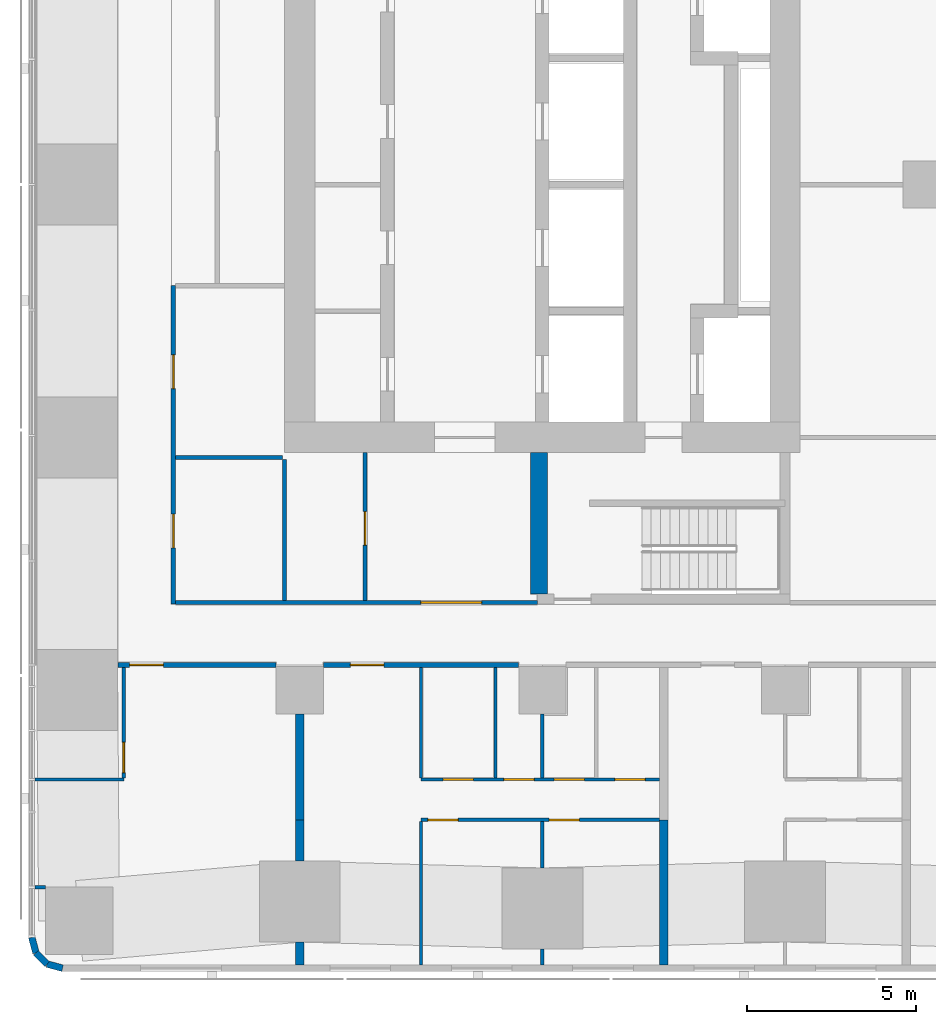
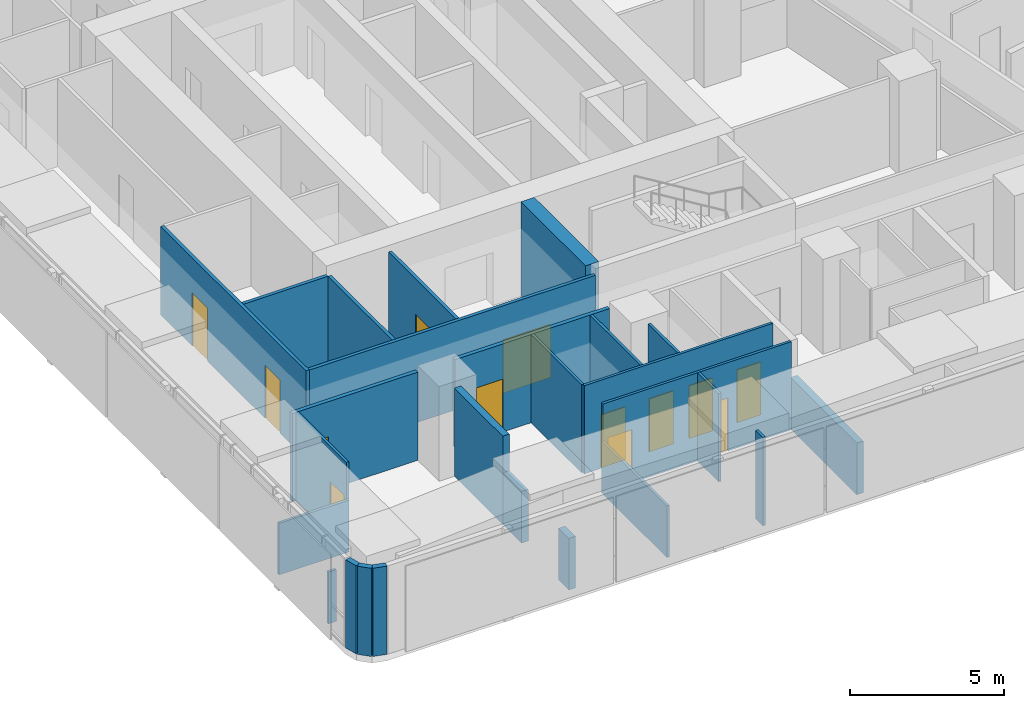
# One storey, part 10 of 19: 26 walls, 13 doors, 13 openings.
"""IFC4 building model written with IfcOpenShell, lengths in metres."""

from ifc_helpers import new_model, si_unit, direction, frame, frame_2d, origin, place, context, subcontext, project, spatial, rectangle, extrude, material, layer, layer_set, type_object, element, fill, save


model = new_model("IFC4")

# Units and contexts
model_context = context("Model", 3, precision=1e-05, world=origin(), true_north=direction((0.0, 1.0)))
body_context = subcontext(model_context, "Body", "Model", "MODEL_VIEW")
ifc_project = project(units=[si_unit("LENGTHUNIT", "METRE"), si_unit("AREAUNIT", "SQUARE_METRE"), si_unit("VOLUMEUNIT", "CUBIC_METRE"), si_unit("PLANEANGLEUNIT", "RADIAN"), si_unit("MASSUNIT", "GRAM", prefix="KILO")], contexts=[model_context])

# Site, building, storey
site_placement = place(None, origin())
site = spatial("IfcSite", under=ifc_project, at=site_placement, CompositionType="ELEMENT")
building_placement = place(site_placement, origin())
building = spatial("IfcBuilding", under=site, at=building_placement, Name="Sheger Commons Tower", CompositionType="ELEMENT")
storey_placement = place(building_placement, frame((0.0, 0.0, 219.949951171875)))
storey = spatial("IfcBuildingStorey", under=building, at=storey_placement, Name="L56", CompositionType="ELEMENT", Elevation=219.949951171875)

# Wall, opening, door
ifc_material_1 = material(Name="Hollow concrete block masonry, skimmed both sides", Category="masonry")
ifc_layer_1 = layer(ifc_material_1, 0.14990234375)
ifc_layer_set_1 = layer_set([ifc_layer_1], Name="CORRIDOR WALL 150")
wall_type_1 = type_object("IfcWallType", Name="CORRIDOR WALL 150", PredefinedType="SOLIDWALL", material=ifc_layer_set_1)
wall_1_placement = place(storey_placement, frame((20.89892578125, 8.25, 0.0), z_axis=(0.0, 0.0, 1.0), x_axis=(-1.0, 0.0, 0.0)))
wall_1 = element("IfcWall", 1, at=wall_1_placement, inside=storey, type_object=wall_type_1, Name="Corridor wall L56", PredefinedType="SOLIDWALL", context=body_context, shape_type="SweptSolid", body=[
    extrude(rectangle(XDim=5.7978515625, YDim=0.14990234375, at=frame_2d((2.89892578125, 0.0))), origin(), (0.0, 0.0, 1.0), 3.5),
])
opening_1_placement = place(wall_1_placement, frame((3.9990234375, 0.0, 0.0)))
opening_1 = element("IfcOpeningElement", 2, at=opening_1_placement, cuts=wall_1, Name="Opening D1", PredefinedType="OPENING", context=body_context, shape_type="SweptSolid", body=[
    extrude(rectangle(XDim=1.0, YDim=2.10009765625, at=frame_2d((0.5, 1.050048828125))), frame((0.0, 0.0849609375, 0.0), z_axis=(0.0, -1.0, 0.0), x_axis=(1.0, 0.0, 0.0)), (0.0, 0.0, 1.0), 0.169921875),
])
ifc_material_2 = material(Name="Steel door set, fire rated", Category="steel")
door_type_1 = type_object("IfcDoorType", Name="FLAT ENTRANCE DOOR 1000x2100", OperationType="NOTDEFINED", PredefinedType="DOOR", material=ifc_material_2)
door_1_placement = place(opening_1_placement, origin())
door_1 = element("IfcDoor", 3, at=door_1_placement, inside=storey, type_object=door_type_1, Name="Flat entrance door", OperationType="SINGLE_SWING_RIGHT", OverallHeight=2.10009765625, OverallWidth=1.0, PredefinedType="DOOR", context=body_context, shape_type="SweptSolid", body=[
    extrude(rectangle(XDim=1.0, YDim=2.10009765625, at=frame_2d((0.5, 1.050048828125))), frame((0.0, 0.02490234375, 0.0), z_axis=(0.0, -1.0, 0.0), x_axis=(1.0, 0.0, 0.0)), (0.0, 0.0, 1.0), 0.050048828125),
])
fill(opening_1, door_1)

wall_2_placement = place(storey_placement, frame((13.698974609375, 8.25, 0.0), z_axis=(0.0, 0.0, 1.0), x_axis=(-1.0, 0.0, 0.0)))
wall_2 = element("IfcWall", 4, at=wall_2_placement, inside=storey, type_object=wall_type_1, Name="Corridor wall L56", PredefinedType="SOLIDWALL", context=body_context, shape_type="SweptSolid", body=[
    extrude(rectangle(XDim=4.697998046875, YDim=0.14990234375, at=frame_2d((2.34912109375, 0.0))), origin(), (0.0, 0.0, 1.0), 3.5),
])
opening_2_placement = place(wall_2_placement, frame((3.344970703125, 0.0, 0.0)))
opening_2 = element("IfcOpeningElement", 5, at=opening_2_placement, cuts=wall_2, Name="Opening D1", PredefinedType="OPENING", context=body_context, shape_type="SweptSolid", body=[
    extrude(rectangle(XDim=1.0, YDim=2.10009765625, at=frame_2d((0.5, 1.050048828125))), frame((0.0, 0.0849609375, 0.0), z_axis=(0.0, -1.0, 0.0), x_axis=(1.0, 0.0, 0.0)), (0.0, 0.0, 1.0), 0.169921875),
])
door_2_placement = place(opening_2_placement, origin())
door_2 = element("IfcDoor", 6, at=door_2_placement, inside=storey, type_object=door_type_1, Name="Flat entrance door", OperationType="SINGLE_SWING_LEFT", OverallHeight=2.10009765625, OverallWidth=1.0, PredefinedType="DOOR", context=body_context, shape_type="SweptSolid", body=[
    extrude(rectangle(XDim=1.0, YDim=2.10009765625, at=frame_2d((0.5, 1.050048828125))), frame((0.0, 0.02490234375, 0.0), z_axis=(0.0, -1.0, 0.0), x_axis=(1.0, 0.0, 0.0)), (0.0, 0.0, 1.0), 0.050048828125),
])
fill(opening_2, door_2)

# Walls
ifc_material_3 = material(Name="Dense concrete block masonry, plastered both sides (separating wall between flats)", Category="masonry")
ifc_layer_2 = layer(ifc_material_3, 0.25)
ifc_layer_set_2 = layer_set([ifc_layer_2], Name="DEMISING WALL 250")
wall_type_2 = type_object("IfcWallType", Name="DEMISING WALL 250", PredefinedType="SOLIDWALL", material=ifc_layer_set_2)
wall_3_placement = place(storey_placement, frame((14.39990234375, -0.64990234375, 0.0), z_axis=(0.0, 0.0, 1.0), x_axis=(0.0, 1.0, 0.0)))
element("IfcWall", 7, at=wall_3_placement, inside=storey, type_object=wall_type_2, Name="Demising wall L56", PredefinedType="SOLIDWALL", context=body_context, shape_type="SweptSolid", body=[
    extrude(rectangle(XDim=0.673828125, YDim=0.25, at=frame_2d((0.3369140625, 0.0))), origin(), (0.0, 0.0, 1.0), 2.050048828125),
])
wall_4_placement = place(storey_placement, frame((14.39990234375, 2.426025390625, 0.0), z_axis=(0.0, 0.0, 1.0), x_axis=(0.0, 1.0, 0.0)))
element("IfcWall", 8, at=wall_4_placement, inside=storey, type_object=wall_type_2, Name="Demising wall L56", PredefinedType="SOLIDWALL", context=body_context, shape_type="SweptSolid", body=[
    extrude(rectangle(XDim=1.223876953125, YDim=0.25, at=frame_2d((0.61181640625, 0.0))), origin(), (0.0, 0.0, 1.0), 2.050048828125),
])
wall_5_placement = place(storey_placement, frame((14.39990234375, 3.64990234375, 0.0), z_axis=(0.0, 0.0, 1.0), x_axis=(0.0, 1.0, 0.0)))
element("IfcWall", 9, at=wall_5_placement, inside=storey, type_object=wall_type_2, Name="Demising wall L56", PredefinedType="SOLIDWALL", context=body_context, shape_type="SweptSolid", body=[
    extrude(rectangle(XDim=3.149169921875, YDim=0.25, at=frame_2d((1.57470703125, 0.0))), origin(), (0.0, 0.0, 1.0), 3.5),
])
wall_6_placement = place(storey_placement, frame((25.199951171875, -0.64990234375, 0.0), z_axis=(0.0, 0.0, 1.0), x_axis=(0.0, 1.0, 0.0)))
element("IfcWall", 10, at=wall_6_placement, inside=storey, type_object=wall_type_2, Name="Demising wall L56", PredefinedType="SOLIDWALL", context=body_context, shape_type="SweptSolid", body=[
    extrude(rectangle(XDim=4.2998046875, YDim=0.25, at=frame_2d((2.14990234375, 0.0))), origin(), (0.0, 0.0, 1.0), 2.050048828125),
])
ifc_material_4 = material(Name="Rendered concrete block masonry, dark grey", Category="masonry")
ifc_layer_3 = layer(ifc_material_4, 0.199951171875)
ifc_layer_set_3 = layer_set([ifc_layer_3], Name="FACADE WALL 200")
wall_type_3 = type_object("IfcWallType", Name="FACADE WALL 200", PredefinedType="SOLIDWALL", material=ifc_layer_set_3)
wall_7_placement = place(storey_placement, frame((6.449951171875, 0.1630859375, 0.0), z_axis=(0.0, 0.0, 1.0), x_axis=(0.259698463175, -0.965689757751, 0.0)))
element("IfcWall", 11, at=wall_7_placement, inside=storey, type_object=wall_type_3, Name="Facade wall L56", PredefinedType="SOLIDWALL", context=body_context, shape_type="SweptSolid", body=[
    extrude(rectangle(XDim=0.4775390625, YDim=0.199951171875, at=frame_2d((0.23876953125, 0.0))), origin(), (0.0, 0.0, 1.0), 3.5),
])
wall_8_placement = place(storey_placement, frame((6.573974609375, -0.298095703125, 0.0), z_axis=(0.0, 0.0, 1.0), x_axis=(0.707369890659, -0.706843573776, 0.0)))
element("IfcWall", 12, at=wall_8_placement, inside=storey, type_object=wall_type_3, Name="Facade wall L56", PredefinedType="SOLIDWALL", context=body_context, shape_type="SweptSolid", body=[
    extrude(rectangle(XDim=0.4638671875, YDim=0.199951171875, at=frame_2d((0.23193359375, 0.0))), origin(), (0.0, 0.0, 1.0), 3.5),
])
wall_9_placement = place(storey_placement, frame((6.902099609375, -0.6259765625, 0.0), z_axis=(0.0, 0.0, 1.0), x_axis=(0.965655254015, -0.259826731483, 0.0)))
element("IfcWall", 13, at=wall_9_placement, inside=storey, type_object=wall_type_3, Name="Facade wall L56", PredefinedType="SOLIDWALL", context=body_context, shape_type="SweptSolid", body=[
    extrude(rectangle(XDim=0.477294921875, YDim=0.199951171875, at=frame_2d((0.23876953125, 0.0))), origin(), (0.0, 0.0, 1.0), 3.5),
])
ifc_material_5 = material(Name="Gypsum board on steel studs", Category="steel")
ifc_layer_4 = layer(ifc_material_5, 0.10009765625)
ifc_layer_set_4 = layer_set([ifc_layer_4], Name="PARTITION 100")
wall_type_4 = type_object("IfcWallType", Name="PARTITION 100", PredefinedType="PARTITIONING", material=ifc_layer_set_4)
wall_10_placement = place(storey_placement, frame((6.550048828125, 1.654052734375, 0.0), z_axis=(0.0, 0.0, 1.0), x_axis=(1.0, 0.0, 0.0)))
element("IfcWall", 14, at=wall_10_placement, inside=storey, type_object=wall_type_4, Name="Partition L56", PredefinedType="PARTITIONING", context=body_context, shape_type="SweptSolid", body=[
    extrude(rectangle(XDim=0.303955078125, YDim=0.10009765625, at=frame_2d((0.15185546875, 0.0))), origin(), (0.0, 0.0, 1.0), 2.050048828125),
])
wall_11_placement = place(storey_placement, frame((9.178955078125, 4.85009765625, 0.0), z_axis=(0.0, 0.0, 1.0), x_axis=(-1.0, 0.0, 0.0)))
element("IfcWall", 15, at=wall_11_placement, inside=storey, type_object=wall_type_4, Name="Partition L56", PredefinedType="PARTITIONING", context=body_context, shape_type="SweptSolid", body=[
    extrude(rectangle(XDim=2.62890625, YDim=0.10009765625, at=frame_2d((1.314453125, 0.0))), origin(), (0.0, 0.0, 1.0), 2.050048828125),
])

# Wall, opening, door
wall_12_placement = place(storey_placement, frame((9.178955078125, 4.89990234375, 0.0), z_axis=(0.0, 0.0, 1.0), x_axis=(0.0, 1.0, 0.0)))
wall_12 = element("IfcWall", 16, at=wall_12_placement, inside=storey, type_object=wall_type_4, Name="Partition L56", PredefinedType="PARTITIONING", context=body_context, shape_type="SweptSolid", body=[
    extrude(rectangle(XDim=3.275146484375, YDim=0.10009765625, at=frame_2d((1.6376953125, 0.0))), origin(), (0.0, 0.0, 1.0), 3.5),
])
opening_3_placement = place(wall_12_placement, frame((0.14990234375, 0.0, 0.0)))
opening_3 = element("IfcOpeningElement", 17, at=opening_3_placement, cuts=wall_12, Name="Opening D2", PredefinedType="OPENING", context=body_context, shape_type="SweptSolid", body=[
    extrude(rectangle(XDim=0.89990234375, YDim=2.10009765625, at=frame_2d((0.449951171875, 1.050048828125))), frame((0.0, 0.06005859375, 0.0), z_axis=(0.0, -1.0, 0.0), x_axis=(1.0, 0.0, 0.0)), (0.0, 0.0, 1.0), 0.1201171875),
])
ifc_material_6 = material(Name="Timber door set", Category="wood")
door_type_2 = type_object("IfcDoorType", Name="INTERNAL DOOR 900x2100", OperationType="NOTDEFINED", PredefinedType="DOOR", material=ifc_material_6)
door_3_placement = place(opening_3_placement, origin())
door_3 = element("IfcDoor", 18, at=door_3_placement, inside=storey, type_object=door_type_2, Name="Shower room door", OperationType="SINGLE_SWING_LEFT", OverallHeight=2.10009765625, OverallWidth=0.89990234375, PredefinedType="DOOR", context=body_context, shape_type="SweptSolid", body=[
    extrude(rectangle(XDim=0.89990234375, YDim=2.10009765625, at=frame_2d((0.449951171875, 1.050048828125))), frame((0.0, 0.02490234375, 0.0), z_axis=(0.0, -1.0, 0.0), x_axis=(1.0, 0.0, 0.0)), (0.0, 0.0, 1.0), 0.050048828125),
])
fill(opening_3, door_3)

# Wall, openings, doors
wall_13_placement = place(storey_placement, frame((25.074951171875, 3.64990234375, 0.0), z_axis=(0.0, 0.0, 1.0), x_axis=(-1.0, 0.0, 0.0)))
wall_13 = element("IfcWall", 19, at=wall_13_placement, inside=storey, type_object=wall_type_4, Name="Partition L56", PredefinedType="PARTITIONING", context=body_context, shape_type="SweptSolid", body=[
    extrude(rectangle(XDim=7.074951171875, YDim=0.10009765625, at=frame_2d((3.53759765625, 0.0))), origin(), (0.0, 0.0, 1.0), 3.5),
])
opening_4_placement = place(wall_13_placement, frame((5.97509765625, 0.0, 0.0)))
opening_4 = element("IfcOpeningElement", 20, at=opening_4_placement, cuts=wall_13, Name="Opening D2", PredefinedType="OPENING", context=body_context, shape_type="SweptSolid", body=[
    extrude(rectangle(XDim=0.89990234375, YDim=2.10009765625, at=frame_2d((0.449951171875, 1.050048828125))), frame((0.0, 0.06005859375, 0.0), z_axis=(0.0, -1.0, 0.0), x_axis=(1.0, 0.0, 0.0)), (0.0, 0.0, 1.0), 0.1201171875),
])
opening_5_placement = place(wall_13_placement, frame((2.375, 0.0, 0.0)))
opening_5 = element("IfcOpeningElement", 21, at=opening_5_placement, cuts=wall_13, Name="Opening D2", PredefinedType="OPENING", context=body_context, shape_type="SweptSolid", body=[
    extrude(rectangle(XDim=0.89990234375, YDim=2.10009765625, at=frame_2d((0.449951171875, 1.050048828125))), frame((0.0, 0.06005859375, 0.0), z_axis=(0.0, -1.0, 0.0), x_axis=(1.0, 0.0, 0.0)), (0.0, 0.0, 1.0), 0.1201171875),
])
door_4_placement = place(opening_4_placement, origin())
door_4 = element("IfcDoor", 22, at=door_4_placement, inside=storey, type_object=door_type_2, Name="Main bedroom door", OperationType="SINGLE_SWING_RIGHT", OverallHeight=2.10009765625, OverallWidth=0.89990234375, PredefinedType="DOOR", context=body_context, shape_type="SweptSolid", body=[
    extrude(rectangle(XDim=0.89990234375, YDim=2.10009765625, at=frame_2d((0.449951171875, 1.050048828125))), frame((0.0, 0.02490234375, 0.0), z_axis=(0.0, -1.0, 0.0), x_axis=(1.0, 0.0, 0.0)), (0.0, 0.0, 1.0), 0.050048828125),
])
fill(opening_4, door_4)
door_5_placement = place(opening_5_placement, origin())
door_5 = element("IfcDoor", 23, at=door_5_placement, inside=storey, type_object=door_type_2, Name="Bedroom 2 door", OperationType="SINGLE_SWING_RIGHT", OverallHeight=2.10009765625, OverallWidth=0.89990234375, PredefinedType="DOOR", context=body_context, shape_type="SweptSolid", body=[
    extrude(rectangle(XDim=0.89990234375, YDim=2.10009765625, at=frame_2d((0.449951171875, 1.050048828125))), frame((0.0, 0.02490234375, 0.0), z_axis=(0.0, -1.0, 0.0), x_axis=(1.0, 0.0, 0.0)), (0.0, 0.0, 1.0), 0.050048828125),
])
fill(opening_5, door_5)

wall_14_placement = place(storey_placement, frame((25.074951171875, 4.85009765625, 0.0), z_axis=(0.0, 0.0, 1.0), x_axis=(-1.0, 0.0, 0.0)))
wall_14 = element("IfcWall", 24, at=wall_14_placement, inside=storey, type_object=wall_type_4, Name="Partition L56", PredefinedType="PARTITIONING", context=body_context, shape_type="SweptSolid", body=[
    extrude(rectangle(XDim=7.074951171875, YDim=0.10009765625, at=frame_2d((3.53759765625, 0.0))), origin(), (0.0, 0.0, 1.0), 3.5),
])
opening_6_placement = place(wall_14_placement, frame((5.52001953125, 0.0, 0.0)))
opening_6 = element("IfcOpeningElement", 25, at=opening_6_placement, cuts=wall_14, Name="Opening D2", PredefinedType="OPENING", context=body_context, shape_type="SweptSolid", body=[
    extrude(rectangle(XDim=0.89990234375, YDim=2.10009765625, at=frame_2d((0.449951171875, 1.050048828125))), frame((0.0, 0.06005859375, 0.0), z_axis=(0.0, -1.0, 0.0), x_axis=(1.0, 0.0, 0.0)), (0.0, 0.0, 1.0), 0.1201171875),
])
opening_7_placement = place(wall_14_placement, frame((2.22509765625, 0.0, 0.0)))
opening_7 = element("IfcOpeningElement", 26, at=opening_7_placement, cuts=wall_14, Name="Opening D2", PredefinedType="OPENING", context=body_context, shape_type="SweptSolid", body=[
    extrude(rectangle(XDim=0.89990234375, YDim=2.10009765625, at=frame_2d((0.449951171875, 1.050048828125))), frame((0.0, 0.06005859375, 0.0), z_axis=(0.0, -1.0, 0.0), x_axis=(1.0, 0.0, 0.0)), (0.0, 0.0, 1.0), 0.1201171875),
])
opening_8_placement = place(wall_14_placement, frame((3.719970703125, 0.0, 0.0)))
opening_8 = element("IfcOpeningElement", 27, at=opening_8_placement, cuts=wall_14, Name="Opening D2", PredefinedType="OPENING", context=body_context, shape_type="SweptSolid", body=[
    extrude(rectangle(XDim=0.89990234375, YDim=2.10009765625, at=frame_2d((0.449951171875, 1.050048828125))), frame((0.0, 0.06005859375, 0.0), z_axis=(0.0, -1.0, 0.0), x_axis=(1.0, 0.0, 0.0)), (0.0, 0.0, 1.0), 0.1201171875),
])
opening_9_placement = place(wall_14_placement, frame((0.425048828125, 0.0, 0.0)))
opening_9 = element("IfcOpeningElement", 28, at=opening_9_placement, cuts=wall_14, Name="Opening D2", PredefinedType="OPENING", context=body_context, shape_type="SweptSolid", body=[
    extrude(rectangle(XDim=0.89990234375, YDim=2.10009765625, at=frame_2d((0.449951171875, 1.050048828125))), frame((0.0, 0.06005859375, 0.0), z_axis=(0.0, -1.0, 0.0), x_axis=(1.0, 0.0, 0.0)), (0.0, 0.0, 1.0), 0.1201171875),
])
door_6_placement = place(opening_6_placement, origin())
door_6 = element("IfcDoor", 29, at=door_6_placement, inside=storey, type_object=door_type_2, Name="Bathroom door", OperationType="SINGLE_SWING_LEFT", OverallHeight=2.10009765625, OverallWidth=0.89990234375, PredefinedType="DOOR", context=body_context, shape_type="SweptSolid", body=[
    extrude(rectangle(XDim=0.89990234375, YDim=2.10009765625, at=frame_2d((0.449951171875, 1.050048828125))), frame((0.0, 0.02490234375, 0.0), z_axis=(0.0, -1.0, 0.0), x_axis=(1.0, 0.0, 0.0)), (0.0, 0.0, 1.0), 0.050048828125),
])
fill(opening_6, door_6)
door_7_placement = place(opening_7_placement, origin())
door_7 = element("IfcDoor", 30, at=door_7_placement, inside=storey, type_object=door_type_2, Name="Shower room door", OperationType="SINGLE_SWING_LEFT", OverallHeight=2.10009765625, OverallWidth=0.89990234375, PredefinedType="DOOR", context=body_context, shape_type="SweptSolid", body=[
    extrude(rectangle(XDim=0.89990234375, YDim=2.10009765625, at=frame_2d((0.449951171875, 1.050048828125))), frame((0.0, 0.02490234375, 0.0), z_axis=(0.0, -1.0, 0.0), x_axis=(1.0, 0.0, 0.0)), (0.0, 0.0, 1.0), 0.050048828125),
])
fill(opening_7, door_7)
door_8_placement = place(opening_8_placement, origin())
door_8 = element("IfcDoor", 31, at=door_8_placement, inside=storey, type_object=door_type_2, Name="Store door", OperationType="SINGLE_SWING_LEFT", OverallHeight=2.10009765625, OverallWidth=0.89990234375, PredefinedType="DOOR", context=body_context, shape_type="SweptSolid", body=[
    extrude(rectangle(XDim=0.89990234375, YDim=2.10009765625, at=frame_2d((0.449951171875, 1.050048828125))), frame((0.0, 0.02490234375, 0.0), z_axis=(0.0, -1.0, 0.0), x_axis=(1.0, 0.0, 0.0)), (0.0, 0.0, 1.0), 0.050048828125),
])
fill(opening_8, door_8)
door_9_placement = place(opening_9_placement, origin())
door_9 = element("IfcDoor", 32, at=door_9_placement, inside=storey, type_object=door_type_2, Name="Store door", OperationType="SINGLE_SWING_RIGHT", OverallHeight=2.10009765625, OverallWidth=0.89990234375, PredefinedType="DOOR", context=body_context, shape_type="SweptSolid", body=[
    extrude(rectangle(XDim=0.89990234375, YDim=2.10009765625, at=frame_2d((0.449951171875, 1.050048828125))), frame((0.0, 0.02490234375, 0.0), z_axis=(0.0, -1.0, 0.0), x_axis=(1.0, 0.0, 0.0)), (0.0, 0.0, 1.0), 0.050048828125),
])
fill(opening_9, door_9)

# Walls
wall_15_placement = place(storey_placement, frame((18.0, -0.64990234375, 0.0), z_axis=(0.0, 0.0, 1.0), x_axis=(0.0, 1.0, 0.0)))
element("IfcWall", 33, at=wall_15_placement, inside=storey, type_object=wall_type_4, Name="Partition L56", PredefinedType="PARTITIONING", context=body_context, shape_type="SweptSolid", body=[
    extrude(rectangle(XDim=4.25, YDim=0.10009765625, at=frame_2d((2.125, 0.0))), origin(), (0.0, 0.0, 1.0), 2.050048828125),
])
wall_16_placement = place(storey_placement, frame((21.60009765625, -0.64990234375, 0.0), z_axis=(0.0, 0.0, 1.0), x_axis=(0.0, 1.0, 0.0)))
element("IfcWall", 34, at=wall_16_placement, inside=storey, type_object=wall_type_4, Name="Partition L56", PredefinedType="PARTITIONING", context=body_context, shape_type="SweptSolid", body=[
    extrude(rectangle(XDim=0.473876953125, YDim=0.10009765625, at=frame_2d((0.23681640625, 0.0))), origin(), (0.0, 0.0, 1.0), 3.5),
])
wall_17_placement = place(storey_placement, frame((21.60009765625, 2.22607421875, 0.0), z_axis=(0.0, 0.0, 1.0), x_axis=(0.0, 1.0, 0.0)))
element("IfcWall", 35, at=wall_17_placement, inside=storey, type_object=wall_type_4, Name="Partition L56", PredefinedType="PARTITIONING", context=body_context, shape_type="SweptSolid", body=[
    extrude(rectangle(XDim=1.3740234375, YDim=0.10009765625, at=frame_2d((0.68701171875, 0.0))), origin(), (0.0, 0.0, 1.0), 3.5),
])
wall_18_placement = place(storey_placement, frame((18.0, 4.89990234375, 0.0), z_axis=(0.0, 0.0, 1.0), x_axis=(0.0, 1.0, 0.0)))
element("IfcWall", 36, at=wall_18_placement, inside=storey, type_object=wall_type_4, Name="Partition L56", PredefinedType="PARTITIONING", context=body_context, shape_type="SweptSolid", body=[
    extrude(rectangle(XDim=3.275146484375, YDim=0.10009765625, at=frame_2d((1.6376953125, 0.0))), origin(), (0.0, 0.0, 1.0), 3.5),
])
wall_19_placement = place(storey_placement, frame((21.60009765625, 4.89990234375, 0.0), z_axis=(0.0, 0.0, 1.0), x_axis=(0.0, 1.0, 0.0)))
element("IfcWall", 37, at=wall_19_placement, inside=storey, type_object=wall_type_4, Name="Partition L56", PredefinedType="PARTITIONING", context=body_context, shape_type="SweptSolid", body=[
    extrude(rectangle(XDim=1.899169921875, YDim=0.10009765625, at=frame_2d((0.94970703125, 0.0))), origin(), (0.0, 0.0, 1.0), 3.5),
])
wall_20_placement = place(storey_placement, frame((20.2099609375, 4.89990234375, 0.0), z_axis=(0.0, 0.0, 1.0), x_axis=(0.0, 1.0, 0.0)))
element("IfcWall", 38, at=wall_20_placement, inside=storey, type_object=wall_type_4, Name="Partition L56", PredefinedType="PARTITIONING", context=body_context, shape_type="SweptSolid", body=[
    extrude(rectangle(XDim=3.275146484375, YDim=0.10009765625, at=frame_2d((1.6376953125, 0.0))), origin(), (0.0, 0.0, 1.0), 3.5),
])

# Wall, openings, doors
ifc_material_7 = material(Name="Gypsum board on steel studs, two layers each side, fire rated", Category="steel")
ifc_layer_5 = layer(ifc_material_7, 0.125)
ifc_layer_set_5 = layer_set([ifc_layer_5], Name="SERVICE WALL 125")
wall_type_5 = type_object("IfcWallType", Name="SERVICE WALL 125", PredefinedType="PARTITIONING", material=ifc_layer_set_5)
wall_21_placement = place(storey_placement, frame((10.64990234375, 10.050048828125, 0.0), z_axis=(0.0, 0.0, 1.0), x_axis=(0.0, 1.0, 0.0)))
wall_21 = element("IfcWall", 39, at=wall_21_placement, inside=storey, type_object=wall_type_5, Name="Service room wall L56", PredefinedType="PARTITIONING", context=body_context, shape_type="SweptSolid", body=[
    extrude(rectangle(XDim=9.449951171875, YDim=0.125, at=frame_2d((4.72509765625, 0.0))), origin(), (0.0, 0.0, 1.0), 3.5),
])
opening_10_placement = place(wall_21_placement, frame((1.675048828125, 0.0, 0.0)))
opening_10 = element("IfcOpeningElement", 40, at=opening_10_placement, cuts=wall_21, Name="Opening D4", PredefinedType="OPENING", context=body_context, shape_type="SweptSolid", body=[
    extrude(rectangle(XDim=1.0, YDim=2.10009765625, at=frame_2d((0.5, 1.050048828125))), frame((0.0, 0.072509765625, 0.0), z_axis=(0.0, -1.0, 0.0), x_axis=(1.0, 0.0, 0.0)), (0.0, 0.0, 1.0), 0.14501953125),
])
opening_11_placement = place(wall_21_placement, frame((6.39990234375, 0.0, 0.0)))
opening_11 = element("IfcOpeningElement", 41, at=opening_11_placement, cuts=wall_21, Name="Opening D4", PredefinedType="OPENING", context=body_context, shape_type="SweptSolid", body=[
    extrude(rectangle(XDim=1.0, YDim=2.10009765625, at=frame_2d((0.5, 1.050048828125))), frame((0.0, 0.072509765625, 0.0), z_axis=(0.0, -1.0, 0.0), x_axis=(1.0, 0.0, 0.0)), (0.0, 0.0, 1.0), 0.14501953125),
])
ifc_material_8 = material(Name="Steel door set, fire rated", Category="steel")
door_type_3 = type_object("IfcDoorType", Name="SERVICE DOOR 1000x2100", OperationType="NOTDEFINED", PredefinedType="DOOR", material=ifc_material_8)
door_10_placement = place(opening_10_placement, origin())
door_10 = element("IfcDoor", 42, at=door_10_placement, inside=storey, type_object=door_type_3, Name="Refuse chute room door", OperationType="SINGLE_SWING_RIGHT", OverallHeight=2.10009765625, OverallWidth=1.0, PredefinedType="DOOR", context=body_context, shape_type="SweptSolid", body=[
    extrude(rectangle(XDim=1.0, YDim=2.10009765625, at=frame_2d((0.5, 1.050048828125))), frame((0.0, 0.02490234375, 0.0), z_axis=(0.0, -1.0, 0.0), x_axis=(1.0, 0.0, 0.0)), (0.0, 0.0, 1.0), 0.050048828125),
])
fill(opening_10, door_10)
door_11_placement = place(opening_11_placement, origin())
door_11 = element("IfcDoor", 43, at=door_11_placement, inside=storey, type_object=door_type_3, Name="Caretaker's store door", OperationType="SINGLE_SWING_LEFT", OverallHeight=2.10009765625, OverallWidth=1.0, PredefinedType="DOOR", context=body_context, shape_type="SweptSolid", body=[
    extrude(rectangle(XDim=1.0, YDim=2.10009765625, at=frame_2d((0.5, 1.050048828125))), frame((0.0, 0.02490234375, 0.0), z_axis=(0.0, -1.0, 0.0), x_axis=(1.0, 0.0, 0.0)), (0.0, 0.0, 1.0), 0.050048828125),
])
fill(opening_11, door_11)

# Walls
wall_22_placement = place(storey_placement, frame((10.712890625, 14.39990234375, 0.0), z_axis=(0.0, 0.0, 1.0), x_axis=(1.0, 0.0, 0.0)))
element("IfcWall", 44, at=wall_22_placement, inside=storey, type_object=wall_type_5, Name="Service room wall L56", PredefinedType="PARTITIONING", context=body_context, shape_type="SweptSolid", body=[
    extrude(rectangle(XDim=3.175048828125, YDim=0.125, at=frame_2d((1.58740234375, 0.0))), origin(), (0.0, 0.0, 1.0), 3.5),
])
wall_23_placement = place(storey_placement, frame((13.949951171875, 10.1630859375, 0.0), z_axis=(0.0, 0.0, 1.0), x_axis=(0.0, 1.0, 0.0)))
element("IfcWall", 45, at=wall_23_placement, inside=storey, type_object=wall_type_5, Name="Service room wall L56", PredefinedType="PARTITIONING", context=body_context, shape_type="SweptSolid", body=[
    extrude(rectangle(XDim=4.1748046875, YDim=0.125, at=frame_2d((2.08740234375, 0.0))), origin(), (0.0, 0.0, 1.0), 3.5),
])

# Wall, opening, door
wall_24_placement = place(storey_placement, frame((10.712890625, 10.10009765625, 0.0), z_axis=(0.0, 0.0, 1.0), x_axis=(1.0, 0.0, 0.0)))
wall_24 = element("IfcWall", 46, at=wall_24_placement, inside=storey, type_object=wall_type_5, Name="Service room wall L56", PredefinedType="PARTITIONING", context=body_context, shape_type="SweptSolid", body=[
    extrude(rectangle(XDim=10.737060546875, YDim=0.125, at=frame_2d((5.36865234375, 0.0))), origin(), (0.0, 0.0, 1.0), 3.5),
])
opening_12_placement = place(wall_24_placement, frame((7.281982421875, 0.0, 0.0)))
opening_12 = element("IfcOpeningElement", 47, at=opening_12_placement, cuts=wall_24, Name="Opening D6", PredefinedType="OPENING", context=body_context, shape_type="SweptSolid", body=[
    extrude(rectangle(XDim=1.800048828125, YDim=2.10009765625, at=frame_2d((0.89990234375, 1.050048828125))), frame((0.0, 0.072509765625, 0.0), z_axis=(0.0, -1.0, 0.0), x_axis=(1.0, 0.0, 0.0)), (0.0, 0.0, 1.0), 0.14501953125),
])
ifc_material_9 = material(Name="Steel door set, fire rated", Category="steel")
door_type_4 = type_object("IfcDoorType", Name="LOBBY DOUBLE DOOR 1800x2100", OperationType="DOUBLE_DOOR_SINGLE_SWING", PredefinedType="DOOR", material=ifc_material_9)
door_12_placement = place(opening_12_placement, origin())
door_12 = element("IfcDoor", 48, at=door_12_placement, inside=storey, type_object=door_type_4, Name="Lift lobby south door", OperationType="DOUBLE_DOOR_SINGLE_SWING", OverallHeight=2.10009765625, OverallWidth=1.800048828125, PredefinedType="DOOR", context=body_context, shape_type="SweptSolid", body=[
    extrude(rectangle(XDim=1.800048828125, YDim=2.10009765625, at=frame_2d((0.89990234375, 1.050048828125))), frame((0.0, 0.02490234375, 0.0), z_axis=(0.0, -1.0, 0.0), x_axis=(1.0, 0.0, 0.0)), (0.0, 0.0, 1.0), 0.050048828125),
])
fill(opening_12, door_12)

wall_25_placement = place(storey_placement, frame((16.340087890625, 10.1630859375, 0.0), z_axis=(0.0, 0.0, 1.0), x_axis=(0.0, 1.0, 0.0)))
wall_25 = element("IfcWall", 49, at=wall_25_placement, inside=storey, type_object=wall_type_5, Name="Service room wall L56", PredefinedType="PARTITIONING", context=body_context, shape_type="SweptSolid", body=[
    extrude(rectangle(XDim=4.386962890625, YDim=0.125, at=frame_2d((2.193359375, 0.0))), origin(), (0.0, 0.0, 1.0), 3.5),
])
opening_13_placement = place(wall_25_placement, frame((1.636962890625, 0.0, 0.0)))
opening_13 = element("IfcOpeningElement", 50, at=opening_13_placement, cuts=wall_25, Name="Opening D4", PredefinedType="OPENING", context=body_context, shape_type="SweptSolid", body=[
    extrude(rectangle(XDim=1.0, YDim=2.10009765625, at=frame_2d((0.5, 1.050048828125))), frame((0.0, 0.072509765625, 0.0), z_axis=(0.0, -1.0, 0.0), x_axis=(1.0, 0.0, 0.0)), (0.0, 0.0, 1.0), 0.14501953125),
])
door_13_placement = place(opening_13_placement, origin())
door_13 = element("IfcDoor", 51, at=door_13_placement, inside=storey, type_object=door_type_3, Name="Electrical room door", OperationType="SINGLE_SWING_LEFT", OverallHeight=2.10009765625, OverallWidth=1.0, PredefinedType="DOOR", context=body_context, shape_type="SweptSolid", body=[
    extrude(rectangle(XDim=1.0, YDim=2.10009765625, at=frame_2d((0.5, 1.050048828125))), frame((0.0, 0.02490234375, 0.0), z_axis=(0.0, -1.0, 0.0), x_axis=(1.0, 0.0, 0.0)), (0.0, 0.0, 1.0), 0.050048828125),
])
fill(opening_13, door_13)

# Wall
ifc_material_10 = material(Name="Concrete C50/60", Category="concrete")
ifc_layer_6 = layer(ifc_material_10, 0.5)
ifc_layer_set_6 = layer_set([ifc_layer_6], Name="STAIR CORE WALL 500")
wall_type_6 = type_object("IfcWallType", Name="STAIR CORE WALL 500", PredefinedType="SHEAR", material=ifc_layer_set_6)
wall_26_placement = place(storey_placement, frame((21.5, 10.35009765625, 0.0), z_axis=(0.0, 0.0, 1.0), x_axis=(0.0, 1.0, 0.0)))
element("IfcWall", 52, at=wall_26_placement, inside=storey, type_object=wall_type_6, Name="STW-L56-S1W", PredefinedType="SHEAR", context=body_context, shape_type="SweptSolid", body=[
    extrude(rectangle(XDim=4.199951171875, YDim=0.5, at=frame_2d((2.10009765625, 0.0))), origin(), (0.0, 0.0, 1.0), 3.75),
])

save(model, "model.ifc")
